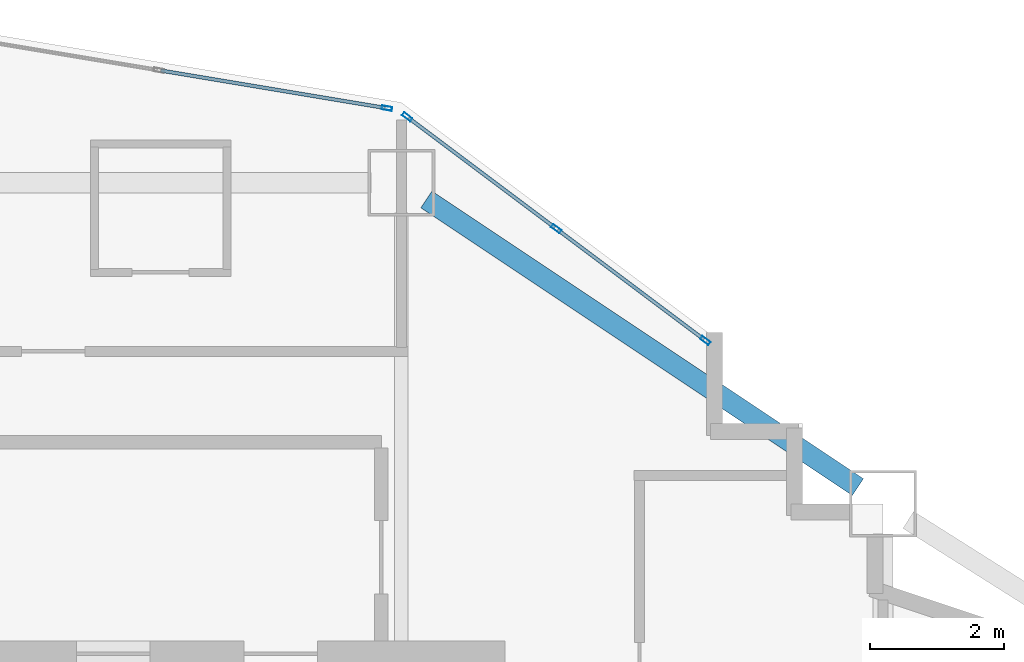
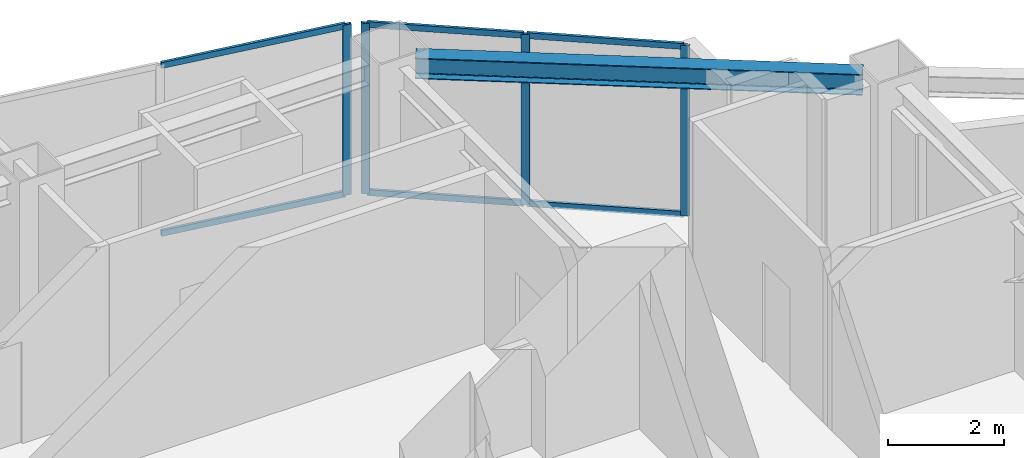
# One storey, part 3 of 13: 10 members, 1 beam, 2 elements without a shape of their own.
"""IFC4 building model written with IfcOpenShell, lengths in metres."""

from ifc_helpers import new_model, si_unit, direction, frame, origin, origin_2d, place, context, subcontext, project, spatial, hollow_rectangle, i_section, extrude, material, layer, layer_set, material_profile, profile_set, type_object, element, aggregate, save


model = new_model("IFC4")

# Units and contexts
model_context = context("Model", 3, precision=1e-05, world=origin(), true_north=direction((0.0, 1.0)))
body_context = subcontext(model_context, "Body", "Model", "MODEL_VIEW")
ifc_project = project(units=[si_unit("LENGTHUNIT", "METRE"), si_unit("AREAUNIT", "SQUARE_METRE"), si_unit("VOLUMEUNIT", "CUBIC_METRE"), si_unit("PLANEANGLEUNIT", "RADIAN"), si_unit("MASSUNIT", "GRAM", prefix="KILO")], contexts=[model_context])

# Site, building, storey
site_placement = place(None, origin())
site = spatial("IfcSite", under=ifc_project, at=site_placement, CompositionType="ELEMENT")
building_placement = place(site_placement, origin())
building = spatial("IfcBuilding", under=site, at=building_placement, Name="Haolan Belvedere Tower", CompositionType="ELEMENT")
storey_placement = place(building_placement, frame((0.0, 0.0, 117.39990234375)))
storey = spatial("IfcBuildingStorey", under=building, at=storey_placement, Name="L29", CompositionType="ELEMENT", Elevation=117.39990234375)

# Beam
ifc_material_1 = material(Name="Steel Q355B", Category="steel")
ifc_material_profile_1 = material_profile(ifc_material_1, i_section(OverallWidth=0.300048828125, OverallDepth=0.43994140625, WebThickness=0.010986328125, FlangeThickness=0.01806640625, FilletRadius=0.02392578125, at=origin_2d()), Name="Steel Q355B")
ifc_profile_set_1 = profile_set([ifc_material_profile_1], Name="Steel Q355B")
beam_type = type_object("IfcBeamType", Name="BM-HM440x300x11x18", PredefinedType="SPANDREL", material=ifc_profile_set_1)
beam_placement = place(storey_placement, frame((45.974365234375, 50.150390625, 3.380126953125), z_axis=(0.832050294338, -0.554700196225, 0.0), x_axis=(0.554700196225, 0.832050294338, 0.0)))
element("IfcBeam", 1, at=beam_placement, inside=storey, type_object=beam_type, Name="L29 spandrel girder MC-T3-N2-MC-T3-NE", PredefinedType="SPANDREL", context=body_context, shape_type="SweptSolid", body=[
    extrude(i_section(OverallWidth=0.300048828125, OverallDepth=0.43994140625, WebThickness=0.010986328125, FlangeThickness=0.01806640625, FilletRadius=0.02392578125, at=origin_2d()), origin(), (0.0, 0.0, 1.0), 7.75341796875),
])

# Curtain wall, members
ifc_material_2 = material(Name="Anodised champagne-silver aluminium 6063-T6 and Low-E glass", Category="aluminium")
ifc_layer = layer(ifc_material_2, 0.155029296875, Name="Anodised champagne-silver aluminium 6063-T6 and Low-E glass")
ifc_layer_set = layer_set([ifc_layer], Name="Anodised champagne-silver aluminium 6063-T6 and Low-E glass")
curtain_wall_type = type_object("IfcCurtainWallType", Name="CW-SYS-03", PredefinedType="NOTDEFINED", material=ifc_layer_set)
curtain_wall_1_placement = place(storey_placement, origin())
curtain_wall_1 = element("IfcCurtainWall", 2, at=curtain_wall_1_placement, inside=storey, type_object=curtain_wall_type, Name="L29 CW-SYS-03 ribbon curtain wall 26.1", PredefinedType="NOTDEFINED")
ifc_material_3 = material(Name="Anodised aluminium 6063-T6", Category="aluminium")
ifc_material_profile_2 = material_profile(ifc_material_3, hollow_rectangle(XDim=0.05810546875, YDim=0.155029296875, WallThickness=0.00390625, at=origin_2d()), Name="Anodised aluminium 6063-T6")
ifc_profile_set_2 = profile_set([ifc_material_profile_2], Name="Anodised aluminium 6063-T6")
member_type_1 = type_object("IfcMemberType", Name="CW-SYS-03-MUL", PredefinedType="MULLION", material=ifc_profile_set_2)
member_1_placement = place(storey_placement, frame((50.144775390625, 48.04150390625, 0.0), z_axis=(0.0, 0.0, 1.0), x_axis=(-0.599994316874, -0.800004262313, 0.0)))
member_1 = element("IfcMember", 3, at=member_1_placement, type_object=member_type_1, Name="CW-03 mullion 1", PredefinedType="MULLION", context=body_context, shape_type="SweptSolid", body=[
    extrude(hollow_rectangle(XDim=0.05810546875, YDim=0.155029296875, WallThickness=0.00390625, at=origin_2d()), origin(), (0.0, 0.0, 1.0), 3.60009765625),
])
member_2_placement = place(storey_placement, frame((47.915771484375, 49.713134765625, 0.0), z_axis=(0.0, 0.0, 1.0), x_axis=(-0.599994316874, -0.800004262313, 0.0)))
member_2 = element("IfcMember", 4, at=member_2_placement, type_object=member_type_1, Name="CW-03 mullion 2", PredefinedType="MULLION", context=body_context, shape_type="SweptSolid", body=[
    extrude(hollow_rectangle(XDim=0.05810546875, YDim=0.155029296875, WallThickness=0.00390625, at=origin_2d()), origin(), (0.0, 0.0, 1.0), 3.60009765625),
])
member_3_placement = place(storey_placement, frame((45.6865234375, 51.385009765625, 0.0), z_axis=(0.0, 0.0, 1.0), x_axis=(-0.599994316874, -0.800004262313, 0.0)))
member_3 = element("IfcMember", 5, at=member_3_placement, type_object=member_type_1, Name="CW-03 mullion 3", PredefinedType="MULLION", context=body_context, shape_type="SweptSolid", body=[
    extrude(hollow_rectangle(XDim=0.05810546875, YDim=0.155029296875, WallThickness=0.00390625, at=origin_2d()), origin(), (0.0, 0.0, 1.0), 3.60009765625),
])

# Curtain wall, member
curtain_wall_2_placement = place(storey_placement, origin())
curtain_wall_2 = element("IfcCurtainWall", 6, at=curtain_wall_2_placement, inside=storey, type_object=curtain_wall_type, Name="L29 CW-SYS-03 ribbon curtain wall 27.1", PredefinedType="NOTDEFINED")
member_4_placement = place(storey_placement, frame((45.384765625, 51.51416015625, 0.0), z_axis=(0.0, 0.0, 1.0), x_axis=(-0.16440364043, -0.9863931483, 0.0)))
member_4 = element("IfcMember", 7, at=member_4_placement, type_object=member_type_1, Name="CW-03 mullion 1", PredefinedType="MULLION", context=body_context, shape_type="SweptSolid", body=[
    extrude(hollow_rectangle(XDim=0.05810546875, YDim=0.155029296875, WallThickness=0.00390625, at=origin_2d()), origin(), (0.0, 0.0, 1.0), 3.60009765625),
])

# Member
ifc_material_profile_3 = material_profile(ifc_material_3, hollow_rectangle(XDim=0.053955078125, YDim=0.125, WallThickness=0.00390625, at=origin_2d()), Name="Anodised aluminium 6063-T6")
ifc_profile_set_3 = profile_set([ifc_material_profile_3], Name="Anodised aluminium 6063-T6")
member_type_2 = type_object("IfcMemberType", Name="CW-SYS-03-TRN", PredefinedType="USERDEFINED", material=ifc_profile_set_3)
member_5_placement = place(storey_placement, frame((50.12158203125, 48.058837890625, 0.027099609375), z_axis=(-0.8, 0.6, 0.0), x_axis=(-0.6, -0.8, 0.0)))
member_5 = element("IfcMember", 8, at=member_5_placement, type_object=member_type_2, Name="CW-03 transom 1.1", ObjectType="TRANSOM", PredefinedType="USERDEFINED", context=body_context, shape_type="SweptSolid", body=[
    extrude(hollow_rectangle(XDim=0.053955078125, YDim=0.125, WallThickness=0.00390625, at=origin_2d()), origin(), (0.0, 0.0, 1.0), 2.728271484375),
])

member_6_placement = place(storey_placement, frame((50.12158203125, 48.058837890625, 3.572998046875), z_axis=(-0.8, 0.6, 0.0), x_axis=(-0.6, -0.8, 0.0)))
member_6 = element("IfcMember", 9, at=member_6_placement, type_object=member_type_2, Name="CW-03 transom 1.2", ObjectType="TRANSOM", PredefinedType="USERDEFINED", context=body_context, shape_type="SweptSolid", body=[
    extrude(hollow_rectangle(XDim=0.053955078125, YDim=0.125, WallThickness=0.00390625, at=origin_2d()), origin(), (0.0, 0.0, 1.0), 2.728271484375),
])

member_7_placement = place(storey_placement, frame((47.892578125, 49.730712890625, 0.027099609375), z_axis=(-0.800032211306, 0.59995704919, 0.0), x_axis=(-0.59995704919, -0.800032211306, 0.0)))
member_7 = element("IfcMember", 10, at=member_7_placement, type_object=member_type_2, Name="CW-03 transom 2.1", ObjectType="TRANSOM", PredefinedType="USERDEFINED", context=body_context, shape_type="SweptSolid", body=[
    extrude(hollow_rectangle(XDim=0.053955078125, YDim=0.125, WallThickness=0.00390625, at=origin_2d()), origin(), (0.0, 0.0, 1.0), 2.728515625),
])

member_8_placement = place(storey_placement, frame((47.892578125, 49.730712890625, 3.572998046875), z_axis=(-0.800032211306, 0.59995704919, 0.0), x_axis=(-0.59995704919, -0.800032211306, 0.0)))
member_8 = element("IfcMember", 11, at=member_8_placement, type_object=member_type_2, Name="CW-03 transom 2.2", ObjectType="TRANSOM", PredefinedType="USERDEFINED", context=body_context, shape_type="SweptSolid", body=[
    extrude(hollow_rectangle(XDim=0.053955078125, YDim=0.125, WallThickness=0.00390625, at=origin_2d()), origin(), (0.0, 0.0, 1.0), 2.728515625),
])

aggregate(curtain_wall_1, [member_1, member_2, member_3, member_5, member_6, member_7, member_8])

member_9_placement = place(storey_placement, frame((45.356201171875, 51.51904296875, 0.027099609375), z_axis=(-0.986395865591, 0.16438733633, 0.0), x_axis=(-0.16438733633, -0.986395865591, 0.0)))
member_9 = element("IfcMember", 12, at=member_9_placement, type_object=member_type_2, Name="CW-03 transom 1.1", ObjectType="TRANSOM", PredefinedType="USERDEFINED", context=body_context, shape_type="SweptSolid", body=[
    extrude(hollow_rectangle(XDim=0.053955078125, YDim=0.125, WallThickness=0.00390625, at=origin_2d()), origin(), (0.0, 0.0, 1.0), 3.39794921875),
])

member_10_placement = place(storey_placement, frame((45.356201171875, 51.51904296875, 3.572998046875), z_axis=(-0.986395865591, 0.16438733633, 0.0), x_axis=(-0.16438733633, -0.986395865591, 0.0)))
member_10 = element("IfcMember", 13, at=member_10_placement, type_object=member_type_2, Name="CW-03 transom 1.2", ObjectType="TRANSOM", PredefinedType="USERDEFINED", context=body_context, shape_type="SweptSolid", body=[
    extrude(hollow_rectangle(XDim=0.053955078125, YDim=0.125, WallThickness=0.00390625, at=origin_2d()), origin(), (0.0, 0.0, 1.0), 3.39794921875),
])

aggregate(curtain_wall_2, [member_4, member_9, member_10])

save(model, "model.ifc")
